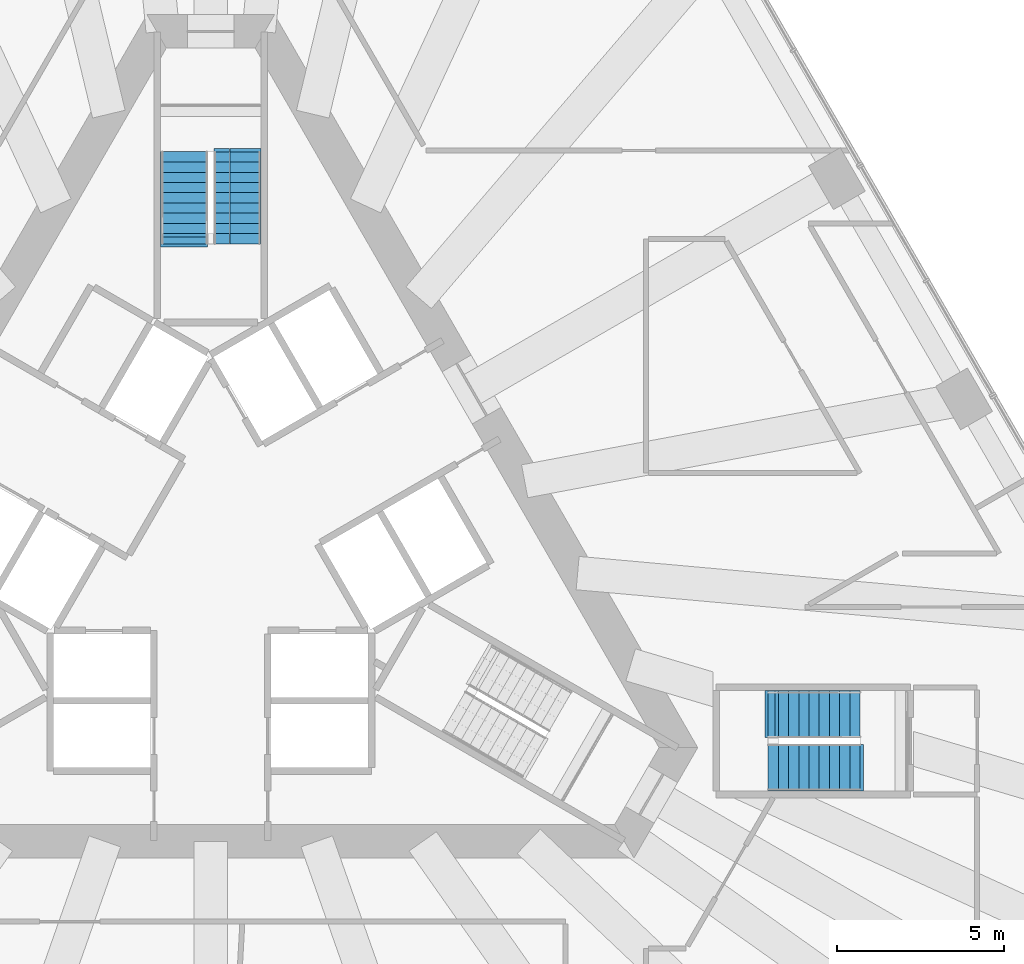
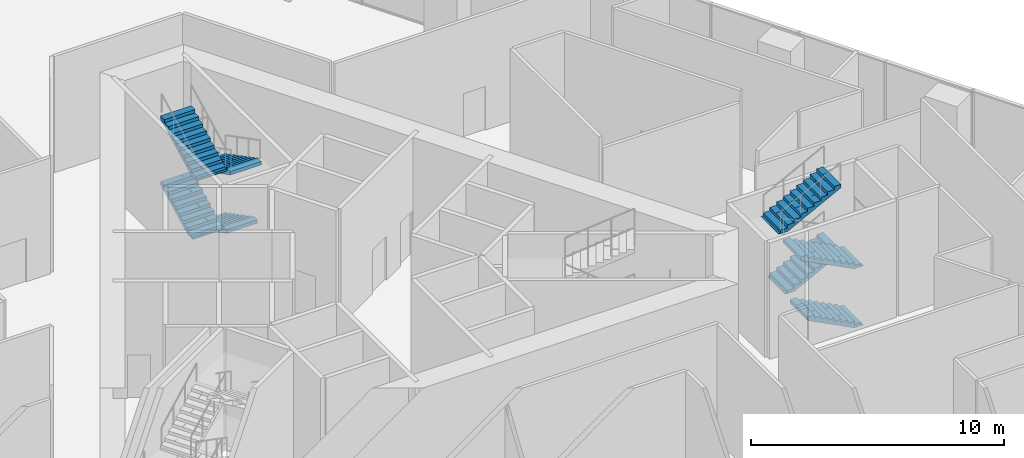
# One storey, part 32 of 36: 8 stair flights, 2 elements without a shape of their own.
"""IFC4 building model written with IfcOpenShell, lengths in metres."""

import ifcopenshell
import ifcopenshell.guid

model = None  # the IFC model being written
_history = None  # IfcOwnerHistory: only IFC2X3 demands one
_inside = {}  # id of a spatial element -> (the spatial element, [elements in it])
_under = {}  # id of a project, library or spatial element -> (it, [spatial elements below it])
_declared = {}  # id of a project -> (the project, [libraries it declares])
_typed = {}  # id of a type object -> (the type object, [elements of that type])
_made_of = {}  # id of a material, layer set ... -> (it, [elements and type objects made of it])


def new_model(schema):
    """Start an empty IFC model of exactly this schema.

    Asked for "IFC4X3", IfcOpenShell would pick the latest addendum, in which some entities
    have other attributes; the version numbers below select the first issue.
    IFC2X3 requires an IfcOwnerHistory on every rooted entity: one is made here for all.
    """
    global model, _history
    if schema == "IFC4X3":
        model = ifcopenshell.file(schema_version=(4, 3, 0, 0))
    else:
        model = ifcopenshell.file(schema=schema)
    _inside.clear()
    _under.clear()
    _declared.clear()
    _typed.clear()
    _made_of.clear()
    _history = None
    if model.schema == "IFC2X3":
        org = make("IfcOrganization", Name="unknown")
        user = make(
            "IfcPersonAndOrganization",
            ThePerson=make("IfcPerson", FamilyName="unknown"),
            TheOrganization=org,
        )
        app = make(
            "IfcApplication",
            ApplicationDeveloper=org,
            Version="unknown",
            ApplicationFullName="unknown",
            ApplicationIdentifier="unknown",
        )
        _history = make(
            "IfcOwnerHistory",
            OwningUser=user,
            OwningApplication=app,
            ChangeAction="ADDED",
            CreationDate=0,
        )
    return model


def make(cls, **values):
    """One entity of the class cls with the attributes given. An attribute that is None is left unset."""
    return model.create_entity(
        cls, **{name: value for name, value in values.items() if value is not None}
    )


def rooted(cls, **values):
    """An entity with a GlobalId (a new one), such as an element, a storey or a relation."""
    return make(cls, GlobalId=ifcopenshell.guid.new(), OwnerHistory=_history, **values)


def si_unit(unit_type, name, prefix=None):
    """IfcSIUnit, for example si_unit("LENGTHUNIT", "METRE", prefix="MILLI")."""
    return make("IfcSIUnit", UnitType=unit_type, Prefix=prefix, Name=name)


def assignment(units):
    """IfcUnitAssignment: the units of a project."""
    return None if units is None else make("IfcUnitAssignment", Units=units)


def point(xyz):
    """IfcCartesianPoint."""
    return None if xyz is None else make("IfcCartesianPoint", Coordinates=xyz)


def direction(xyz):
    """IfcDirection."""
    return None if xyz is None else make("IfcDirection", DirectionRatios=xyz)


def frame(location, z_axis=None, x_axis=None):
    """IfcAxis2Placement3D, a coordinate frame: its origin and axes. An axis left out is left unset."""
    return make(
        "IfcAxis2Placement3D",
        Location=point(location),
        Axis=direction(z_axis),
        RefDirection=direction(x_axis),
    )


def origin():
    """The frame at (0, 0, 0) with its axes left unset."""
    return frame((0.0, 0.0, 0.0))


def place(relative_to, where):
    """IfcLocalPlacement: puts the frame where relative to a parent placement (None: the world)."""
    return make(
        "IfcLocalPlacement", PlacementRelTo=relative_to, RelativePlacement=where
    )


def context(
    kind, dimensions, precision=None, world=None, true_north=None, identifier=None
):
    """IfcGeometricRepresentationContext, for example the 3D "Model" context."""
    return make(
        "IfcGeometricRepresentationContext",
        ContextIdentifier=identifier,
        ContextType=kind,
        CoordinateSpaceDimension=dimensions,
        Precision=precision,
        WorldCoordinateSystem=world,
        TrueNorth=true_north,
    )


def subcontext(parent, identifier, kind, view, scale=None):
    """IfcGeometricRepresentationSubContext, for example "Body" below "Model"."""
    return make(
        "IfcGeometricRepresentationSubContext",
        ContextIdentifier=identifier,
        ContextType=kind,
        ParentContext=parent,
        TargetScale=scale,
        TargetView=view,
    )


def project(units=None, contexts=None):
    """IfcProject with its units and contexts."""
    return rooted(
        "IfcProject",
        Name="project",
        RepresentationContexts=contexts,
        UnitsInContext=assignment(units),
    )


def spatial(cls, under=None, at=None, **own):
    """A site, building, storey or space (cls), placed at a placement, below another one or the project."""
    s = rooted(cls, ObjectPlacement=at, **own)
    if under is not None:
        _under.setdefault(under.id(), (under, []))[1].append(s)
    return s


def polyline(points):
    """IfcPolyline through the points."""
    return make("IfcPolyline", Points=[point(p) for p in points])


def outline(outer, holes=None, kind="AREA"):
    """IfcArbitraryClosedProfileDef: a profile drawn as a closed curve; with holes, ...WithVoids."""
    if holes is None:
        return make("IfcArbitraryClosedProfileDef", ProfileType=kind, OuterCurve=outer)
    return make(
        "IfcArbitraryProfileDefWithVoids",
        ProfileType=kind,
        OuterCurve=outer,
        InnerCurves=holes,
    )


def extrude(swept, where, along, depth):
    """IfcExtrudedAreaSolid: the profile swept, set in the frame where, extruded along a direction by depth."""
    return make(
        "IfcExtrudedAreaSolid",
        SweptArea=swept,
        Position=where,
        ExtrudedDirection=direction(along),
        Depth=depth,
    )


def shape(context_of_items, identifier, shape_type, items):
    """IfcShapeRepresentation: the items that make up one representation, for example the "Body"."""
    return make(
        "IfcShapeRepresentation",
        ContextOfItems=context_of_items,
        RepresentationIdentifier=identifier,
        RepresentationType=shape_type,
        Items=items,
    )


def material(Name=None, Category=None):
    """IfcMaterial."""
    return make("IfcMaterial", Name=Name, Category=Category)


def made_of(thing, what):
    """Note that an element or type object is made of a material, layer set ...; save() writes the relation."""
    if what is not None:
        _made_of.setdefault(what.id(), (what, []))[1].append(thing)
    return thing


def type_object(cls, material=None, **own):
    """A type object (cls), such as IfcWallType, which elements share."""
    return made_of(rooted(cls, **own), material)


def element(
    cls,
    number,
    at=None,
    inside=None,
    cuts=None,
    type_object=None,
    material=None,
    context=None,
    identifier="Body",
    shape_type=None,
    held_by="IfcProductDefinitionShape",
    body=None,
    shapes=None,
    **own,
):
    """One element of the class cls, such as IfcWall. Its Tag is "e" and its number.

    at: its placement. inside: the storey or other place that contains it. cuts: it is an
    opening in that element (IfcRelVoidsElement). A single representation is given by context,
    identifier, shape_type and body (its items); several are given by shapes. held_by: the class
    of the entity that holds the representations. save() writes the other relations.
    """
    e = rooted(cls, Tag="e%d" % number, ObjectPlacement=at, **own)
    if body is not None:
        shapes = [shape(context, identifier, shape_type, body)]
    if shapes is not None:
        e.Representation = make(held_by, Representations=shapes)
    if inside is not None:
        _inside.setdefault(inside.id(), (inside, []))[1].append(e)
    if cuts is not None:
        rooted(
            "IfcRelVoidsElement", RelatingBuildingElement=cuts, RelatedOpeningElement=e
        )
    if type_object is not None:
        _typed.setdefault(type_object.id(), (type_object, []))[1].append(e)
    return made_of(e, material)


def aggregate(whole, parts):
    """IfcRelAggregates: a whole, such as a stair, and the parts it consists of."""
    return rooted("IfcRelAggregates", RelatingObject=whole, RelatedObjects=parts)


def save(model, path):
    """Write the relations noted so far, then the file.

    IfcRelAggregates (storeys below a building ...), IfcRelContainedInSpatialStructure (elements
    in a storey), IfcRelDefinesByType, IfcRelAssociatesMaterial and IfcRelDeclares: one each for
    every whole, place, type object, material and project.
    """
    for whole, parts in _under.values():
        aggregate(whole, parts)
    for where, things in _inside.values():
        rooted(
            "IfcRelContainedInSpatialStructure",
            RelatedElements=things,
            RelatingStructure=where,
        )
    for kind, things in _typed.values():
        rooted("IfcRelDefinesByType", RelatedObjects=things, RelatingType=kind)
    for what, things in _made_of.values():
        rooted("IfcRelAssociatesMaterial", RelatedObjects=things, RelatingMaterial=what)
    for by, libraries in _declared.values():
        rooted("IfcRelDeclares", RelatingContext=by, RelatedDefinitions=libraries)
    model.write(path)


model = new_model("IFC4")

# Units and contexts
model_context = context("Model", 3, precision=1e-05, world=origin(), true_north=direction((0.0, 1.0)))
body_context = subcontext(model_context, "Body", "Model", "MODEL_VIEW")
ifc_project = project(units=[si_unit("LENGTHUNIT", "METRE"), si_unit("AREAUNIT", "SQUARE_METRE"), si_unit("VOLUMEUNIT", "CUBIC_METRE"), si_unit("PLANEANGLEUNIT", "RADIAN"), si_unit("MASSUNIT", "GRAM", prefix="KILO")], contexts=[model_context])

# Site, building, storey
site_placement = place(None, origin())
site = spatial("IfcSite", under=ifc_project, at=site_placement, CompositionType="ELEMENT")
building_placement = place(site_placement, origin())
building = spatial("IfcBuilding", under=site, at=building_placement, Name="Triada Interchange Tower", CompositionType="ELEMENT")
storey_placement = place(building_placement, frame((0.0, 0.0, 8.5)))
storey = spatial("IfcBuildingStorey", under=building, at=storey_placement, Name="L01", CompositionType="ELEMENT", Elevation=8.5)

# Stair, stair flights
ifc_material = material(Name="Concrete C35/45", Category="concrete")
stair_type = type_object("IfcStairType", Name="HALF TURN STAIR 1400", PredefinedType="HALF_TURN_STAIR", material=ifc_material)
stair_1_placement = place(storey_placement, origin())
stair_1 = element("IfcStair", 1, at=stair_1_placement, inside=storey, type_object=stair_type, Name="Exit stair S01-1", PredefinedType="HALF_TURN_STAIR")
stair_flight_type = type_object("IfcStairFlightType", Name="STRAIGHT STAIR FLIGHT 1400", PredefinedType="STRAIGHT", material=ifc_material)
stair_flight_1_placement = place(storey_placement, frame((0.800048828125, 11.60009765625, 0.0), z_axis=(0.0, 0.0, 1.0), x_axis=(0.0, -1.0, 0.0)))
stair_flight_1 = element("IfcStairFlight", 2, at=stair_flight_1_placement, type_object=stair_flight_type, Name="S01-1 flight 1", NumberOfRisers=9, NumberOfTreads=8, PredefinedType="STRAIGHT", RiserHeight=0.15789, TreadLength=0.305, context=body_context, shape_type="SweptSolid", body=[
    extrude(outline(polyline([(-0.10009765625, 0.0), (-0.10009765625, 0.02001953125), (0.0, 0.02001953125), (0.0, 0.157958984375), (0.304931640625, 0.157958984375), (0.304931640625, 0.315673828125), (0.610107421875, 0.315673828125), (0.610107421875, 0.4736328125), (0.9150390625, 0.4736328125), (0.9150390625, 0.631591796875), (1.219970703125, 0.631591796875), (1.219970703125, 0.78955078125), (1.52490234375, 0.78955078125), (1.52490234375, 0.947265625), (1.830078125, 0.947265625), (1.830078125, 1.105224609375), (2.135009765625, 1.105224609375), (2.135009765625, 1.26318359375), (2.43994140625, 1.26318359375), (2.444091796875, 1.26318359375), (2.444091796875, 1.4208984375), (2.444091796875, 1.09423828125), (0.326171875, 0.0), (-0.10009765625, 0.0)])), frame((0.0, 0.699951171875, 0.0), z_axis=(0.0, -1.0, 0.0), x_axis=(1.0, 0.0, 0.0)), (0.0, 0.0, 1.0), 0.46533203125),
    extrude(outline(polyline([(-0.10009765625, 0.0), (-0.10009765625, 0.02001953125), (0.0, 0.02001953125), (0.0, 0.157958984375), (0.304931640625, 0.157958984375), (0.304931640625, 0.315673828125), (0.610107421875, 0.315673828125), (0.610107421875, 0.4736328125), (0.9150390625, 0.4736328125), (0.9150390625, 0.631591796875), (1.219970703125, 0.631591796875), (1.219970703125, 0.78955078125), (1.52490234375, 0.78955078125), (1.52490234375, 0.947265625), (1.830078125, 0.947265625), (1.830078125, 1.105224609375), (2.135009765625, 1.105224609375), (2.135009765625, 1.26318359375), (2.43994140625, 1.26318359375), (2.444091796875, 1.26318359375), (2.444091796875, 1.4208984375), (2.444091796875, 1.09423828125), (0.326171875, 0.0), (-0.10009765625, 0.0)])), frame((0.0, 0.232666015625, 0.0), z_axis=(0.0, -1.0, 0.0), x_axis=(1.0, 0.0, 0.0)), (0.0, 0.0, 1.0), 0.46533203125),
    extrude(outline(polyline([(-0.10009765625, 0.0), (-0.10009765625, 0.02001953125), (0.0, 0.02001953125), (0.0, 0.157958984375), (0.304931640625, 0.157958984375), (0.304931640625, 0.315673828125), (0.610107421875, 0.315673828125), (0.610107421875, 0.4736328125), (0.9150390625, 0.4736328125), (0.9150390625, 0.631591796875), (1.219970703125, 0.631591796875), (1.219970703125, 0.78955078125), (1.52490234375, 0.78955078125), (1.52490234375, 0.947265625), (1.830078125, 0.947265625), (1.830078125, 1.105224609375), (2.135009765625, 1.105224609375), (2.135009765625, 1.26318359375), (2.43994140625, 1.26318359375), (2.444091796875, 1.26318359375), (2.444091796875, 1.4208984375), (2.444091796875, 1.09423828125), (0.326171875, 0.0), (-0.10009765625, 0.0)])), frame((0.0, -0.234619140625, 0.0), z_axis=(0.0, -1.0, 0.0), x_axis=(1.0, 0.0, 0.0)), (0.0, 0.0, 1.0), 0.46533203125),
])
stair_flight_2_placement = place(storey_placement, frame((-0.800048828125, 9.159912109375, 1.4208984375), z_axis=(0.0, 0.0, 1.0), x_axis=(0.0, 1.0, 0.0)))
stair_flight_2 = element("IfcStairFlight", 3, at=stair_flight_2_placement, type_object=stair_flight_type, Name="S01-1 flight 2", NumberOfRisers=9, NumberOfTreads=8, PredefinedType="STRAIGHT", RiserHeight=0.15789, TreadLength=0.305, context=body_context, shape_type="SweptSolid", body=[
    extrude(outline(polyline([(-0.10009765625, 0.0), (-0.10009765625, 0.02001953125), (0.0, 0.02001953125), (0.0, 0.157958984375), (0.304931640625, 0.157958984375), (0.304931640625, 0.315673828125), (0.610107421875, 0.315673828125), (0.610107421875, 0.4736328125), (0.9150390625, 0.4736328125), (0.9150390625, 0.631591796875), (1.219970703125, 0.631591796875), (1.219970703125, 0.78955078125), (1.52490234375, 0.78955078125), (1.52490234375, 0.947265625), (1.830078125, 0.947265625), (1.830078125, 1.105224609375), (2.135009765625, 1.105224609375), (2.135009765625, 1.26318359375), (2.43994140625, 1.26318359375), (2.444091796875, 1.26318359375), (2.444091796875, 1.4208984375), (2.444091796875, 1.09423828125), (0.326171875, 0.0), (-0.10009765625, 0.0)])), frame((0.0, 0.699951171875, 0.0), z_axis=(0.0, -1.0, 0.0), x_axis=(1.0, 0.0, 0.0)), (0.0, 0.0, 1.0), 0.46533203125),
    extrude(outline(polyline([(-0.10009765625, 0.0), (-0.10009765625, 0.02001953125), (0.0, 0.02001953125), (0.0, 0.157958984375), (0.304931640625, 0.157958984375), (0.304931640625, 0.315673828125), (0.610107421875, 0.315673828125), (0.610107421875, 0.4736328125), (0.9150390625, 0.4736328125), (0.9150390625, 0.631591796875), (1.219970703125, 0.631591796875), (1.219970703125, 0.78955078125), (1.52490234375, 0.78955078125), (1.52490234375, 0.947265625), (1.830078125, 0.947265625), (1.830078125, 1.105224609375), (2.135009765625, 1.105224609375), (2.135009765625, 1.26318359375), (2.43994140625, 1.26318359375), (2.444091796875, 1.26318359375), (2.444091796875, 1.4208984375), (2.444091796875, 1.09423828125), (0.326171875, 0.0), (-0.10009765625, 0.0)])), frame((0.0, 0.232666015625, 0.0), z_axis=(0.0, -1.0, 0.0), x_axis=(1.0, 0.0, 0.0)), (0.0, 0.0, 1.0), 0.46533203125),
    extrude(outline(polyline([(-0.10009765625, 0.0), (-0.10009765625, 0.02001953125), (0.0, 0.02001953125), (0.0, 0.157958984375), (0.304931640625, 0.157958984375), (0.304931640625, 0.315673828125), (0.610107421875, 0.315673828125), (0.610107421875, 0.4736328125), (0.9150390625, 0.4736328125), (0.9150390625, 0.631591796875), (1.219970703125, 0.631591796875), (1.219970703125, 0.78955078125), (1.52490234375, 0.78955078125), (1.52490234375, 0.947265625), (1.830078125, 0.947265625), (1.830078125, 1.105224609375), (2.135009765625, 1.105224609375), (2.135009765625, 1.26318359375), (2.43994140625, 1.26318359375), (2.444091796875, 1.26318359375), (2.444091796875, 1.4208984375), (2.444091796875, 1.09423828125), (0.326171875, 0.0), (-0.10009765625, 0.0)])), frame((0.0, -0.234619140625, 0.0), z_axis=(0.0, -1.0, 0.0), x_axis=(1.0, 0.0, 0.0)), (0.0, 0.0, 1.0), 0.46533203125),
])
stair_flight_3_placement = place(storey_placement, frame((0.800048828125, 11.60009765625, 2.842041015625), z_axis=(0.0, 0.0, 1.0), x_axis=(0.0, -1.0, 0.0)))
stair_flight_3 = element("IfcStairFlight", 4, at=stair_flight_3_placement, type_object=stair_flight_type, Name="S01-1 flight 3", NumberOfRisers=10, NumberOfTreads=9, PredefinedType="STRAIGHT", RiserHeight=0.15789, TreadLength=0.305, context=body_context, shape_type="SweptSolid", body=[
    extrude(outline(polyline([(-0.10009765625, 0.0), (-0.10009765625, 0.02001953125), (0.0, 0.02001953125), (0.0, 0.157958984375), (0.304931640625, 0.157958984375), (0.304931640625, 0.315673828125), (0.610107421875, 0.315673828125), (0.610107421875, 0.4736328125), (0.9150390625, 0.4736328125), (0.9150390625, 0.631591796875), (1.219970703125, 0.631591796875), (1.219970703125, 0.78955078125), (1.52490234375, 0.78955078125), (1.52490234375, 0.947265625), (1.830078125, 0.947265625), (1.830078125, 1.105224609375), (2.135009765625, 1.105224609375), (2.135009765625, 1.26318359375), (2.43994140625, 1.26318359375), (2.43994140625, 1.4208984375), (2.7451171875, 1.4208984375), (2.7490234375, 1.4208984375), (2.7490234375, 1.578857421875), (2.7490234375, 1.252197265625), (0.326171875, 0.0), (-0.10009765625, 0.0)])), frame((0.0, 0.699951171875, 0.0), z_axis=(0.0, -1.0, 0.0), x_axis=(1.0, 0.0, 0.0)), (0.0, 0.0, 1.0), 0.46533203125),
    extrude(outline(polyline([(-0.10009765625, 0.0), (-0.10009765625, 0.02001953125), (0.0, 0.02001953125), (0.0, 0.157958984375), (0.304931640625, 0.157958984375), (0.304931640625, 0.315673828125), (0.610107421875, 0.315673828125), (0.610107421875, 0.4736328125), (0.9150390625, 0.4736328125), (0.9150390625, 0.631591796875), (1.219970703125, 0.631591796875), (1.219970703125, 0.78955078125), (1.52490234375, 0.78955078125), (1.52490234375, 0.947265625), (1.830078125, 0.947265625), (1.830078125, 1.105224609375), (2.135009765625, 1.105224609375), (2.135009765625, 1.26318359375), (2.43994140625, 1.26318359375), (2.43994140625, 1.4208984375), (2.7451171875, 1.4208984375), (2.7490234375, 1.4208984375), (2.7490234375, 1.578857421875), (2.7490234375, 1.252197265625), (0.326171875, 0.0), (-0.10009765625, 0.0)])), frame((0.0, 0.232666015625, 0.0), z_axis=(0.0, -1.0, 0.0), x_axis=(1.0, 0.0, 0.0)), (0.0, 0.0, 1.0), 0.46533203125),
    extrude(outline(polyline([(-0.10009765625, 0.0), (-0.10009765625, 0.02001953125), (0.0, 0.02001953125), (0.0, 0.157958984375), (0.304931640625, 0.157958984375), (0.304931640625, 0.315673828125), (0.610107421875, 0.315673828125), (0.610107421875, 0.4736328125), (0.9150390625, 0.4736328125), (0.9150390625, 0.631591796875), (1.219970703125, 0.631591796875), (1.219970703125, 0.78955078125), (1.52490234375, 0.78955078125), (1.52490234375, 0.947265625), (1.830078125, 0.947265625), (1.830078125, 1.105224609375), (2.135009765625, 1.105224609375), (2.135009765625, 1.26318359375), (2.43994140625, 1.26318359375), (2.43994140625, 1.4208984375), (2.7451171875, 1.4208984375), (2.7490234375, 1.4208984375), (2.7490234375, 1.578857421875), (2.7490234375, 1.252197265625), (0.326171875, 0.0), (-0.10009765625, 0.0)])), frame((0.0, -0.234619140625, 0.0), z_axis=(0.0, -1.0, 0.0), x_axis=(1.0, 0.0, 0.0)), (0.0, 0.0, 1.0), 0.46533203125),
])
stair_flight_4_placement = place(storey_placement, frame((-0.800048828125, 8.85498046875, 4.4208984375), z_axis=(0.0, 0.0, 1.0), x_axis=(0.0, 1.0, 0.0)))
stair_flight_4 = element("IfcStairFlight", 5, at=stair_flight_4_placement, type_object=stair_flight_type, Name="S01-1 flight 4", NumberOfRisers=10, NumberOfTreads=9, PredefinedType="STRAIGHT", RiserHeight=0.15789, TreadLength=0.305, context=body_context, shape_type="SweptSolid", body=[
    extrude(outline(polyline([(-0.10009765625, 0.0), (-0.10009765625, 0.02001953125), (0.0, 0.02001953125), (0.0, 0.157958984375), (0.304931640625, 0.157958984375), (0.304931640625, 0.315673828125), (0.610107421875, 0.315673828125), (0.610107421875, 0.4736328125), (0.9150390625, 0.4736328125), (0.9150390625, 0.631591796875), (1.219970703125, 0.631591796875), (1.219970703125, 0.78955078125), (1.52490234375, 0.78955078125), (1.52490234375, 0.947265625), (1.830078125, 0.947265625), (1.830078125, 1.105224609375), (2.135009765625, 1.105224609375), (2.135009765625, 1.26318359375), (2.43994140625, 1.26318359375), (2.43994140625, 1.4208984375), (2.7451171875, 1.4208984375), (2.7490234375, 1.4208984375), (2.7490234375, 1.578857421875), (2.7490234375, 1.252197265625), (0.326171875, 0.0), (-0.10009765625, 0.0)])), frame((0.0, 0.699951171875, 0.0), z_axis=(0.0, -1.0, 0.0), x_axis=(1.0, 0.0, 0.0)), (0.0, 0.0, 1.0), 0.46533203125),
    extrude(outline(polyline([(-0.10009765625, 0.0), (-0.10009765625, 0.02001953125), (0.0, 0.02001953125), (0.0, 0.157958984375), (0.304931640625, 0.157958984375), (0.304931640625, 0.315673828125), (0.610107421875, 0.315673828125), (0.610107421875, 0.4736328125), (0.9150390625, 0.4736328125), (0.9150390625, 0.631591796875), (1.219970703125, 0.631591796875), (1.219970703125, 0.78955078125), (1.52490234375, 0.78955078125), (1.52490234375, 0.947265625), (1.830078125, 0.947265625), (1.830078125, 1.105224609375), (2.135009765625, 1.105224609375), (2.135009765625, 1.26318359375), (2.43994140625, 1.26318359375), (2.43994140625, 1.4208984375), (2.7451171875, 1.4208984375), (2.7490234375, 1.4208984375), (2.7490234375, 1.578857421875), (2.7490234375, 1.252197265625), (0.326171875, 0.0), (-0.10009765625, 0.0)])), frame((0.0, 0.232666015625, 0.0), z_axis=(0.0, -1.0, 0.0), x_axis=(1.0, 0.0, 0.0)), (0.0, 0.0, 1.0), 0.46533203125),
    extrude(outline(polyline([(-0.10009765625, 0.0), (-0.10009765625, 0.02001953125), (0.0, 0.02001953125), (0.0, 0.157958984375), (0.304931640625, 0.157958984375), (0.304931640625, 0.315673828125), (0.610107421875, 0.315673828125), (0.610107421875, 0.4736328125), (0.9150390625, 0.4736328125), (0.9150390625, 0.631591796875), (1.219970703125, 0.631591796875), (1.219970703125, 0.78955078125), (1.52490234375, 0.78955078125), (1.52490234375, 0.947265625), (1.830078125, 0.947265625), (1.830078125, 1.105224609375), (2.135009765625, 1.105224609375), (2.135009765625, 1.26318359375), (2.43994140625, 1.26318359375), (2.43994140625, 1.4208984375), (2.7451171875, 1.4208984375), (2.7490234375, 1.4208984375), (2.7490234375, 1.578857421875), (2.7490234375, 1.252197265625), (0.326171875, 0.0), (-0.10009765625, 0.0)])), frame((0.0, -0.234619140625, 0.0), z_axis=(0.0, -1.0, 0.0), x_axis=(1.0, 0.0, 0.0)), (0.0, 0.0, 1.0), 0.46533203125),
])
aggregate(stair_1, [stair_flight_1, stair_flight_2, stair_flight_3, stair_flight_4])

stair_2_placement = place(storey_placement, origin())
stair_2 = element("IfcStair", 6, at=stair_2_placement, inside=storey, type_object=stair_type, Name="Exit stair S01-7", PredefinedType="HALF_TURN_STAIR")
stair_flight_5_placement = place(storey_placement, frame((19.39990234375, -6.800048828125, 0.0), z_axis=(0.0, 0.0, 1.0), x_axis=(-1.0, 0.0, 0.0)))
stair_flight_5 = element("IfcStairFlight", 7, at=stair_flight_5_placement, type_object=stair_flight_type, Name="S01-7 flight 1", NumberOfRisers=9, NumberOfTreads=8, PredefinedType="STRAIGHT", RiserHeight=0.15789, TreadLength=0.305, context=body_context, shape_type="SweptSolid", body=[
    extrude(outline(polyline([(-0.10009765625, 0.0), (-0.10009765625, 0.02001953125), (0.0, 0.02001953125), (0.0, 0.157958984375), (0.304931640625, 0.157958984375), (0.304931640625, 0.315673828125), (0.610107421875, 0.315673828125), (0.610107421875, 0.4736328125), (0.9150390625, 0.4736328125), (0.9150390625, 0.631591796875), (1.219970703125, 0.631591796875), (1.219970703125, 0.78955078125), (1.52490234375, 0.78955078125), (1.52490234375, 0.947265625), (1.830078125, 0.947265625), (1.830078125, 1.105224609375), (2.135009765625, 1.105224609375), (2.135009765625, 1.26318359375), (2.43994140625, 1.26318359375), (2.444091796875, 1.26318359375), (2.444091796875, 1.4208984375), (2.444091796875, 1.09423828125), (0.326171875, 0.0), (-0.10009765625, 0.0)])), frame((0.0, 0.699951171875, 0.0), z_axis=(0.0, -1.0, 0.0), x_axis=(1.0, 0.0, 0.0)), (0.0, 0.0, 1.0), 0.46533203125),
    extrude(outline(polyline([(-0.10009765625, 0.0), (-0.10009765625, 0.02001953125), (0.0, 0.02001953125), (0.0, 0.157958984375), (0.304931640625, 0.157958984375), (0.304931640625, 0.315673828125), (0.610107421875, 0.315673828125), (0.610107421875, 0.4736328125), (0.9150390625, 0.4736328125), (0.9150390625, 0.631591796875), (1.219970703125, 0.631591796875), (1.219970703125, 0.78955078125), (1.52490234375, 0.78955078125), (1.52490234375, 0.947265625), (1.830078125, 0.947265625), (1.830078125, 1.105224609375), (2.135009765625, 1.105224609375), (2.135009765625, 1.26318359375), (2.43994140625, 1.26318359375), (2.444091796875, 1.26318359375), (2.444091796875, 1.4208984375), (2.444091796875, 1.09423828125), (0.326171875, 0.0), (-0.10009765625, 0.0)])), frame((0.0, 0.232666015625, 0.0), z_axis=(0.0, -1.0, 0.0), x_axis=(1.0, 0.0, 0.0)), (0.0, 0.0, 1.0), 0.46533203125),
    extrude(outline(polyline([(-0.10009765625, 0.0), (-0.10009765625, 0.02001953125), (0.0, 0.02001953125), (0.0, 0.157958984375), (0.304931640625, 0.157958984375), (0.304931640625, 0.315673828125), (0.610107421875, 0.315673828125), (0.610107421875, 0.4736328125), (0.9150390625, 0.4736328125), (0.9150390625, 0.631591796875), (1.219970703125, 0.631591796875), (1.219970703125, 0.78955078125), (1.52490234375, 0.78955078125), (1.52490234375, 0.947265625), (1.830078125, 0.947265625), (1.830078125, 1.105224609375), (2.135009765625, 1.105224609375), (2.135009765625, 1.26318359375), (2.43994140625, 1.26318359375), (2.444091796875, 1.26318359375), (2.444091796875, 1.4208984375), (2.444091796875, 1.09423828125), (0.326171875, 0.0), (-0.10009765625, 0.0)])), frame((0.0, -0.234619140625, 0.0), z_axis=(0.0, -1.0, 0.0), x_axis=(1.0, 0.0, 0.0)), (0.0, 0.0, 1.0), 0.46533203125),
])
stair_flight_6_placement = place(storey_placement, frame((16.9599609375, -5.199951171875, 1.4208984375), z_axis=(0.0, 0.0, 1.0), x_axis=(1.0, 0.0, 0.0)))
stair_flight_6 = element("IfcStairFlight", 8, at=stair_flight_6_placement, type_object=stair_flight_type, Name="S01-7 flight 2", NumberOfRisers=9, NumberOfTreads=8, PredefinedType="STRAIGHT", RiserHeight=0.15789, TreadLength=0.305, context=body_context, shape_type="SweptSolid", body=[
    extrude(outline(polyline([(-0.10009765625, 0.0), (-0.10009765625, 0.02001953125), (0.0, 0.02001953125), (0.0, 0.157958984375), (0.304931640625, 0.157958984375), (0.304931640625, 0.315673828125), (0.610107421875, 0.315673828125), (0.610107421875, 0.4736328125), (0.9150390625, 0.4736328125), (0.9150390625, 0.631591796875), (1.219970703125, 0.631591796875), (1.219970703125, 0.78955078125), (1.52490234375, 0.78955078125), (1.52490234375, 0.947265625), (1.830078125, 0.947265625), (1.830078125, 1.105224609375), (2.135009765625, 1.105224609375), (2.135009765625, 1.26318359375), (2.43994140625, 1.26318359375), (2.444091796875, 1.26318359375), (2.444091796875, 1.4208984375), (2.444091796875, 1.09423828125), (0.326171875, 0.0), (-0.10009765625, 0.0)])), frame((0.0, 0.699951171875, 0.0), z_axis=(0.0, -1.0, 0.0), x_axis=(1.0, 0.0, 0.0)), (0.0, 0.0, 1.0), 0.46533203125),
    extrude(outline(polyline([(-0.10009765625, 0.0), (-0.10009765625, 0.02001953125), (0.0, 0.02001953125), (0.0, 0.157958984375), (0.304931640625, 0.157958984375), (0.304931640625, 0.315673828125), (0.610107421875, 0.315673828125), (0.610107421875, 0.4736328125), (0.9150390625, 0.4736328125), (0.9150390625, 0.631591796875), (1.219970703125, 0.631591796875), (1.219970703125, 0.78955078125), (1.52490234375, 0.78955078125), (1.52490234375, 0.947265625), (1.830078125, 0.947265625), (1.830078125, 1.105224609375), (2.135009765625, 1.105224609375), (2.135009765625, 1.26318359375), (2.43994140625, 1.26318359375), (2.444091796875, 1.26318359375), (2.444091796875, 1.4208984375), (2.444091796875, 1.09423828125), (0.326171875, 0.0), (-0.10009765625, 0.0)])), frame((0.0, 0.232666015625, 0.0), z_axis=(0.0, -1.0, 0.0), x_axis=(1.0, 0.0, 0.0)), (0.0, 0.0, 1.0), 0.46533203125),
    extrude(outline(polyline([(-0.10009765625, 0.0), (-0.10009765625, 0.02001953125), (0.0, 0.02001953125), (0.0, 0.157958984375), (0.304931640625, 0.157958984375), (0.304931640625, 0.315673828125), (0.610107421875, 0.315673828125), (0.610107421875, 0.4736328125), (0.9150390625, 0.4736328125), (0.9150390625, 0.631591796875), (1.219970703125, 0.631591796875), (1.219970703125, 0.78955078125), (1.52490234375, 0.78955078125), (1.52490234375, 0.947265625), (1.830078125, 0.947265625), (1.830078125, 1.105224609375), (2.135009765625, 1.105224609375), (2.135009765625, 1.26318359375), (2.43994140625, 1.26318359375), (2.444091796875, 1.26318359375), (2.444091796875, 1.4208984375), (2.444091796875, 1.09423828125), (0.326171875, 0.0), (-0.10009765625, 0.0)])), frame((0.0, -0.234619140625, 0.0), z_axis=(0.0, -1.0, 0.0), x_axis=(1.0, 0.0, 0.0)), (0.0, 0.0, 1.0), 0.46533203125),
])
stair_flight_7_placement = place(storey_placement, frame((19.39990234375, -6.800048828125, 2.842041015625), z_axis=(0.0, 0.0, 1.0), x_axis=(-1.0, 0.0, 0.0)))
stair_flight_7 = element("IfcStairFlight", 9, at=stair_flight_7_placement, type_object=stair_flight_type, Name="S01-7 flight 3", NumberOfRisers=10, NumberOfTreads=9, PredefinedType="STRAIGHT", RiserHeight=0.15789, TreadLength=0.305, context=body_context, shape_type="SweptSolid", body=[
    extrude(outline(polyline([(-0.10009765625, 0.0), (-0.10009765625, 0.02001953125), (0.0, 0.02001953125), (0.0, 0.157958984375), (0.304931640625, 0.157958984375), (0.304931640625, 0.315673828125), (0.610107421875, 0.315673828125), (0.610107421875, 0.4736328125), (0.9150390625, 0.4736328125), (0.9150390625, 0.631591796875), (1.219970703125, 0.631591796875), (1.219970703125, 0.78955078125), (1.52490234375, 0.78955078125), (1.52490234375, 0.947265625), (1.830078125, 0.947265625), (1.830078125, 1.105224609375), (2.135009765625, 1.105224609375), (2.135009765625, 1.26318359375), (2.43994140625, 1.26318359375), (2.43994140625, 1.4208984375), (2.7451171875, 1.4208984375), (2.7490234375, 1.4208984375), (2.7490234375, 1.578857421875), (2.7490234375, 1.252197265625), (0.326171875, 0.0), (-0.10009765625, 0.0)])), frame((0.0, 0.699951171875, 0.0), z_axis=(0.0, -1.0, 0.0), x_axis=(1.0, 0.0, 0.0)), (0.0, 0.0, 1.0), 0.46533203125),
    extrude(outline(polyline([(-0.10009765625, 0.0), (-0.10009765625, 0.02001953125), (0.0, 0.02001953125), (0.0, 0.157958984375), (0.304931640625, 0.157958984375), (0.304931640625, 0.315673828125), (0.610107421875, 0.315673828125), (0.610107421875, 0.4736328125), (0.9150390625, 0.4736328125), (0.9150390625, 0.631591796875), (1.219970703125, 0.631591796875), (1.219970703125, 0.78955078125), (1.52490234375, 0.78955078125), (1.52490234375, 0.947265625), (1.830078125, 0.947265625), (1.830078125, 1.105224609375), (2.135009765625, 1.105224609375), (2.135009765625, 1.26318359375), (2.43994140625, 1.26318359375), (2.43994140625, 1.4208984375), (2.7451171875, 1.4208984375), (2.7490234375, 1.4208984375), (2.7490234375, 1.578857421875), (2.7490234375, 1.252197265625), (0.326171875, 0.0), (-0.10009765625, 0.0)])), frame((0.0, 0.232666015625, 0.0), z_axis=(0.0, -1.0, 0.0), x_axis=(1.0, 0.0, 0.0)), (0.0, 0.0, 1.0), 0.46533203125),
    extrude(outline(polyline([(-0.10009765625, 0.0), (-0.10009765625, 0.02001953125), (0.0, 0.02001953125), (0.0, 0.157958984375), (0.304931640625, 0.157958984375), (0.304931640625, 0.315673828125), (0.610107421875, 0.315673828125), (0.610107421875, 0.4736328125), (0.9150390625, 0.4736328125), (0.9150390625, 0.631591796875), (1.219970703125, 0.631591796875), (1.219970703125, 0.78955078125), (1.52490234375, 0.78955078125), (1.52490234375, 0.947265625), (1.830078125, 0.947265625), (1.830078125, 1.105224609375), (2.135009765625, 1.105224609375), (2.135009765625, 1.26318359375), (2.43994140625, 1.26318359375), (2.43994140625, 1.4208984375), (2.7451171875, 1.4208984375), (2.7490234375, 1.4208984375), (2.7490234375, 1.578857421875), (2.7490234375, 1.252197265625), (0.326171875, 0.0), (-0.10009765625, 0.0)])), frame((0.0, -0.234619140625, 0.0), z_axis=(0.0, -1.0, 0.0), x_axis=(1.0, 0.0, 0.0)), (0.0, 0.0, 1.0), 0.46533203125),
])
stair_flight_8_placement = place(storey_placement, frame((16.655029296875, -5.199951171875, 4.4208984375), z_axis=(0.0, 0.0, 1.0), x_axis=(1.0, 0.0, 0.0)))
stair_flight_8 = element("IfcStairFlight", 10, at=stair_flight_8_placement, type_object=stair_flight_type, Name="S01-7 flight 4", NumberOfRisers=10, NumberOfTreads=9, PredefinedType="STRAIGHT", RiserHeight=0.15789, TreadLength=0.305, context=body_context, shape_type="SweptSolid", body=[
    extrude(outline(polyline([(-0.10009765625, 0.0), (-0.10009765625, 0.02001953125), (0.0, 0.02001953125), (0.0, 0.157958984375), (0.304931640625, 0.157958984375), (0.304931640625, 0.315673828125), (0.610107421875, 0.315673828125), (0.610107421875, 0.4736328125), (0.9150390625, 0.4736328125), (0.9150390625, 0.631591796875), (1.219970703125, 0.631591796875), (1.219970703125, 0.78955078125), (1.52490234375, 0.78955078125), (1.52490234375, 0.947265625), (1.830078125, 0.947265625), (1.830078125, 1.105224609375), (2.135009765625, 1.105224609375), (2.135009765625, 1.26318359375), (2.43994140625, 1.26318359375), (2.43994140625, 1.4208984375), (2.7451171875, 1.4208984375), (2.7490234375, 1.4208984375), (2.7490234375, 1.578857421875), (2.7490234375, 1.252197265625), (0.326171875, 0.0), (-0.10009765625, 0.0)])), frame((0.0, 0.699951171875, 0.0), z_axis=(0.0, -1.0, 0.0), x_axis=(1.0, 0.0, 0.0)), (0.0, 0.0, 1.0), 0.46533203125),
    extrude(outline(polyline([(-0.10009765625, 0.0), (-0.10009765625, 0.02001953125), (0.0, 0.02001953125), (0.0, 0.157958984375), (0.304931640625, 0.157958984375), (0.304931640625, 0.315673828125), (0.610107421875, 0.315673828125), (0.610107421875, 0.4736328125), (0.9150390625, 0.4736328125), (0.9150390625, 0.631591796875), (1.219970703125, 0.631591796875), (1.219970703125, 0.78955078125), (1.52490234375, 0.78955078125), (1.52490234375, 0.947265625), (1.830078125, 0.947265625), (1.830078125, 1.105224609375), (2.135009765625, 1.105224609375), (2.135009765625, 1.26318359375), (2.43994140625, 1.26318359375), (2.43994140625, 1.4208984375), (2.7451171875, 1.4208984375), (2.7490234375, 1.4208984375), (2.7490234375, 1.578857421875), (2.7490234375, 1.252197265625), (0.326171875, 0.0), (-0.10009765625, 0.0)])), frame((0.0, 0.232666015625, 0.0), z_axis=(0.0, -1.0, 0.0), x_axis=(1.0, 0.0, 0.0)), (0.0, 0.0, 1.0), 0.46533203125),
    extrude(outline(polyline([(-0.10009765625, 0.0), (-0.10009765625, 0.02001953125), (0.0, 0.02001953125), (0.0, 0.157958984375), (0.304931640625, 0.157958984375), (0.304931640625, 0.315673828125), (0.610107421875, 0.315673828125), (0.610107421875, 0.4736328125), (0.9150390625, 0.4736328125), (0.9150390625, 0.631591796875), (1.219970703125, 0.631591796875), (1.219970703125, 0.78955078125), (1.52490234375, 0.78955078125), (1.52490234375, 0.947265625), (1.830078125, 0.947265625), (1.830078125, 1.105224609375), (2.135009765625, 1.105224609375), (2.135009765625, 1.26318359375), (2.43994140625, 1.26318359375), (2.43994140625, 1.4208984375), (2.7451171875, 1.4208984375), (2.7490234375, 1.4208984375), (2.7490234375, 1.578857421875), (2.7490234375, 1.252197265625), (0.326171875, 0.0), (-0.10009765625, 0.0)])), frame((0.0, -0.234619140625, 0.0), z_axis=(0.0, -1.0, 0.0), x_axis=(1.0, 0.0, 0.0)), (0.0, 0.0, 1.0), 0.46533203125),
])
aggregate(stair_2, [stair_flight_5, stair_flight_6, stair_flight_7, stair_flight_8])

save(model, "model.ifc")
